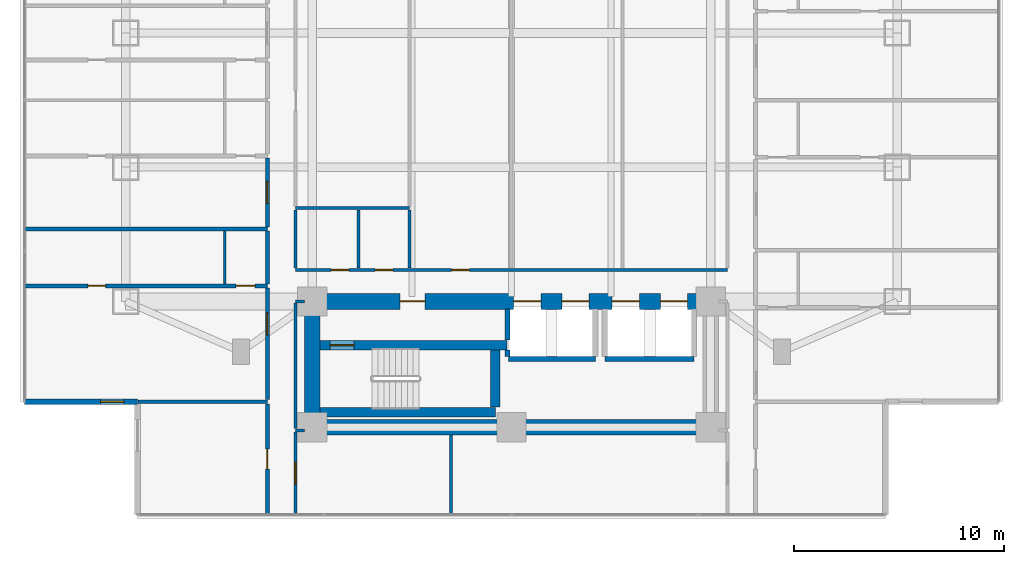
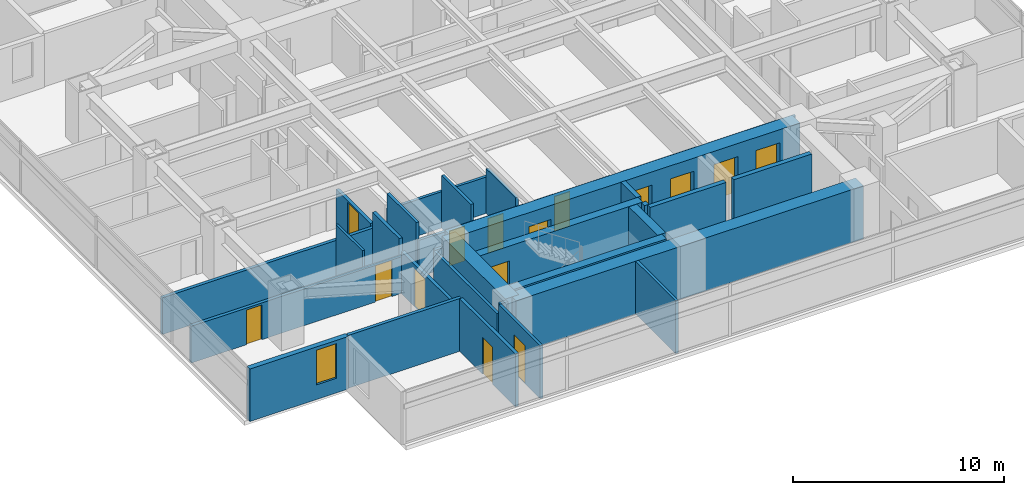
# One storey, part 14 of 26: 29 walls, 15 doors, 1 window, 16 openings.
"""IFC4 building model written with IfcOpenShell, lengths in metres."""

from ifc_helpers import new_model, si_unit, direction, frame, frame_2d, origin, place, context, subcontext, project, spatial, rectangle, extrude, material, layer, layer_set, type_object, element, fill, save


model = new_model("IFC4")

# Units and contexts
model_context = context("Model", 3, precision=1e-05, world=origin(), true_north=direction((0.0, 1.0)))
body_context = subcontext(model_context, "Body", "Model", "MODEL_VIEW")
ifc_project = project(units=[si_unit("LENGTHUNIT", "METRE"), si_unit("AREAUNIT", "SQUARE_METRE"), si_unit("VOLUMEUNIT", "CUBIC_METRE"), si_unit("PLANEANGLEUNIT", "RADIAN"), si_unit("MASSUNIT", "GRAM", prefix="KILO")], contexts=[model_context])

# Site, building, storey
site_placement = place(None, origin())
site = spatial("IfcSite", under=ifc_project, at=site_placement, CompositionType="ELEMENT")
building_placement = place(site_placement, origin())
building = spatial("IfcBuilding", under=site, at=building_placement, Name="Mirazonda Arch Towers", CompositionType="ELEMENT")
storey_placement = place(building_placement, frame((0.0, 0.0, 48.800048828125)))
storey = spatial("IfcBuildingStorey", under=building, at=storey_placement, Name="L13", CompositionType="ELEMENT", Elevation=48.800048828125)

# Wall
ifc_material_1 = material(Name="Concrete C50/60", Category="concrete")
ifc_layer_1 = layer(ifc_material_1, 0.449951171875, Name="WALL-CORE-450")
ifc_layer_set_1 = layer_set([ifc_layer_1], Name="Concrete C50/60")
wall_type_1 = type_object("IfcWallType", Name="WALL-CORE-450", PredefinedType="SHEAR", material=ifc_layer_set_1)
wall_1_placement = place(storey_placement, frame((11.3701171875, 13.1201171875, 0.0), z_axis=(0.0, 0.0, 1.0), x_axis=(1.0, 0.0, 0.0)))
element("IfcWall", 1, at=wall_1_placement, inside=storey, type_object=wall_type_1, Name="L13 Stair Core Shear Wall 003", PredefinedType="SHEAR", context=body_context, shape_type="SweptSolid", body=[
    extrude(rectangle(XDim=8.35986328125, YDim=0.449951171875, at=frame_2d((4.179931640625, 0.0))), origin(), (0.0, 0.0, 1.0), 3.06005859375),
])

# Wall, opening, door
wall_2_placement = place(storey_placement, frame((11.3701171875, 16.320068359375, 0.0), z_axis=(0.0, 0.0, 1.0), x_axis=(1.0, 0.0, 0.0)))
wall_2 = element("IfcWall", 2, at=wall_2_placement, inside=storey, type_object=wall_type_1, Name="L13 Stair Core Shear Wall 010", PredefinedType="SHEAR", context=body_context, shape_type="SweptSolid", body=[
    extrude(rectangle(XDim=8.909912109375, YDim=0.449951171875, at=frame_2d((4.455078125, 0.0))), origin(), (0.0, 0.0, 1.0), 3.06005859375),
])
opening_1_placement = place(wall_2_placement, frame((0.469970703125, 0.0, 0.0)))
opening_1 = element("IfcOpeningElement", 3, at=opening_1_placement, cuts=wall_2, Name="Opening DR-135", PredefinedType="OPENING", context=body_context, shape_type="SweptSolid", body=[
    extrude(rectangle(XDim=1.14990234375, YDim=2.199951171875, at=frame_2d((0.574951171875, 1.10009765625))), frame((0.0, 0.23486328125, 0.0), z_axis=(0.0, -1.0, 0.0), x_axis=(1.0, 0.0, 0.0)), (0.0, 0.0, 1.0), 0.469970703125),
])
ifc_material_2 = material(Name="Architectural Brushed Steel S355", Category="steel")
door_type_1 = type_object("IfcDoorType", Name="DOOR-STAIR-FD90-1150", OperationType="NOTDEFINED", PredefinedType="DOOR", material=ifc_material_2)
door_1_placement = place(opening_1_placement, origin())
door_1 = element("IfcDoor", 4, at=door_1_placement, inside=storey, type_object=door_type_1, Name="L13 Protected Exit Stair South Door", OperationType="SINGLE_SWING_RIGHT", OverallHeight=2.199951171875, OverallWidth=1.14990234375, PredefinedType="DOOR", context=body_context, shape_type="SweptSolid", body=[
    extrude(rectangle(XDim=1.14990234375, YDim=2.199951171875, at=frame_2d((0.574951171875, 1.10009765625))), frame((0.0, 0.02490234375, 0.0), z_axis=(0.0, -1.0, 0.0), x_axis=(1.0, 0.0, 0.0)), (0.0, 0.0, 1.0), 0.050048828125),
])
fill(opening_1, door_1)

# Walls
wall_3_placement = place(storey_placement, frame((19.72998046875, 13.35498046875, 0.0), z_axis=(0.0, 0.0, 1.0), x_axis=(0.0, 1.0, 0.0)))
element("IfcWall", 5, at=wall_3_placement, inside=storey, type_object=wall_type_1, Name="L13 Stair Core Shear Wall 091", PredefinedType="SHEAR", context=body_context, shape_type="SweptSolid", body=[
    extrude(rectangle(XDim=2.72998046875, YDim=0.449951171875, at=frame_2d((1.364990234375, 0.0))), origin(), (0.0, 0.0, 1.0), 3.06005859375),
])
ifc_material_3 = material(Name="Concrete C60/75", Category="concrete")
ifc_layer_2 = layer(ifc_material_3, 0.75, Name="WALL-CORE-750")
ifc_layer_set_2 = layer_set([ifc_layer_2], Name="Concrete C60/75")
wall_type_2 = type_object("IfcWallType", Name="WALL-CORE-750", PredefinedType="SHEAR", material=ifc_layer_set_2)
wall_4_placement = place(storey_placement, frame((11.0, 12.39990234375, 0.0), z_axis=(0.0, 0.0, 1.0), x_axis=(1.0, 0.0, 0.0)))
element("IfcWall", 6, at=wall_4_placement, inside=storey, type_object=wall_type_2, Name="L13 T1S-S Core Shear Wall", PredefinedType="SHEAR", context=body_context, shape_type="SweptSolid", body=[
    extrude(rectangle(XDim=19.0, YDim=0.75, at=frame_2d((9.5, 0.0))), origin(), (0.0, 0.0, 1.0), 3.06005859375),
])
wall_5_placement = place(storey_placement, frame((11.0, 12.39990234375, 0.0), z_axis=(0.0, 0.0, 1.0), x_axis=(0.0, 1.0, 0.0)))
element("IfcWall", 7, at=wall_5_placement, inside=storey, type_object=wall_type_2, Name="L13 T1S-W Core Shear Wall", PredefinedType="SHEAR", context=body_context, shape_type="SweptSolid", body=[
    extrude(rectangle(XDim=6.0, YDim=0.75, at=frame_2d((3.0, 0.0))), origin(), (0.0, 0.0, 1.0), 3.06005859375),
])

# Wall, openings, doors
wall_6_placement = place(storey_placement, frame((11.0, 18.39990234375, 0.0), z_axis=(0.0, 0.0, 1.0), x_axis=(1.0, 0.0, 0.0)))
wall_6 = element("IfcWall", 8, at=wall_6_placement, inside=storey, type_object=wall_type_2, Name="L13 T1S-N Core Shear Wall", PredefinedType="SHEAR", context=body_context, shape_type="SweptSolid", body=[
    extrude(rectangle(XDim=19.0, YDim=0.75, at=frame_2d((9.5, 0.0))), origin(), (0.0, 0.0, 1.0), 3.06005859375),
])
opening_2_placement = place(wall_6_placement, frame((4.175048828125, 0.0, 0.0)))
opening_2 = element("IfcOpeningElement", 9, at=opening_2_placement, cuts=wall_6, Name="Opening DR-117", PredefinedType="OPENING", context=body_context, shape_type="SweptSolid", body=[
    extrude(rectangle(XDim=1.199951171875, YDim=2.25, at=frame_2d((0.60009765625, 1.125))), frame((0.0, 0.385009765625, 0.0), z_axis=(0.0, -1.0, 0.0), x_axis=(1.0, 0.0, 0.0)), (0.0, 0.0, 1.0), 0.77001953125),
])
opening_3_placement = place(wall_6_placement, frame((9.60009765625, 0.0, 0.0)))
opening_3 = element("IfcOpeningElement", 10, at=opening_3_placement, cuts=wall_6, Name="Opening LD-111", PredefinedType="OPENING", context=body_context, shape_type="SweptSolid", body=[
    extrude(rectangle(XDim=1.300048828125, YDim=2.300048828125, at=frame_2d((0.64990234375, 1.14990234375))), frame((0.0, 0.385009765625, 0.0), z_axis=(0.0, -1.0, 0.0), x_axis=(1.0, 0.0, 0.0)), (0.0, 0.0, 1.0), 0.77001953125),
])
opening_4_placement = place(wall_6_placement, frame((11.89990234375, 0.0, 0.0)))
opening_4 = element("IfcOpeningElement", 11, at=opening_4_placement, cuts=wall_6, Name="Opening LD-111", PredefinedType="OPENING", context=body_context, shape_type="SweptSolid", body=[
    extrude(rectangle(XDim=1.300048828125, YDim=2.300048828125, at=frame_2d((0.64990234375, 1.14990234375))), frame((0.0, 0.385009765625, 0.0), z_axis=(0.0, -1.0, 0.0), x_axis=(1.0, 0.0, 0.0)), (0.0, 0.0, 1.0), 0.77001953125),
])
opening_5_placement = place(wall_6_placement, frame((14.300048828125, 0.0, 0.0)))
opening_5 = element("IfcOpeningElement", 12, at=opening_5_placement, cuts=wall_6, Name="Opening LD-111", PredefinedType="OPENING", context=body_context, shape_type="SweptSolid", body=[
    extrude(rectangle(XDim=1.300048828125, YDim=2.300048828125, at=frame_2d((0.64990234375, 1.14990234375))), frame((0.0, 0.385009765625, 0.0), z_axis=(0.0, -1.0, 0.0), x_axis=(1.0, 0.0, 0.0)), (0.0, 0.0, 1.0), 0.77001953125),
])
opening_6_placement = place(wall_6_placement, frame((16.60009765625, 0.0, 0.0)))
opening_6 = element("IfcOpeningElement", 13, at=opening_6_placement, cuts=wall_6, Name="Opening LD-111", PredefinedType="OPENING", context=body_context, shape_type="SweptSolid", body=[
    extrude(rectangle(XDim=1.300048828125, YDim=2.300048828125, at=frame_2d((0.64990234375, 1.14990234375))), frame((0.0, 0.385009765625, 0.0), z_axis=(0.0, -1.0, 0.0), x_axis=(1.0, 0.0, 0.0)), (0.0, 0.0, 1.0), 0.77001953125),
])
door_type_2 = type_object("IfcDoorType", Name="DOOR-FFL-FD90-1200", OperationType="NOTDEFINED", PredefinedType="DOOR", material=ifc_material_2)
door_2_placement = place(opening_2_placement, origin())
door_2 = element("IfcDoor", 14, at=door_2_placement, inside=storey, type_object=door_type_2, Name="L13 South Core Stair & Lift Lobby Door", OperationType="SINGLE_SWING_LEFT", OverallHeight=2.25, OverallWidth=1.199951171875, PredefinedType="DOOR", context=body_context, shape_type="SweptSolid", body=[
    extrude(rectangle(XDim=1.199951171875, YDim=2.25, at=frame_2d((0.60009765625, 1.125))), frame((0.0, 0.02490234375, 0.0), z_axis=(0.0, -1.0, 0.0), x_axis=(1.0, 0.0, 0.0)), (0.0, 0.0, 1.0), 0.050048828125),
])
fill(opening_2, door_2)
door_type_3 = type_object("IfcDoorType", Name="DOOR-LIFT-LAND-1300", OperationType="NOTDEFINED", PredefinedType="DOOR", material=ifc_material_2)
door_3_placement = place(opening_3_placement, origin())
door_3 = element("IfcDoor", 15, at=door_3_placement, inside=storey, type_object=door_type_3, Name="L13 Lift Landing Sliding Door PL-T1M1", OperationType="DOUBLE_DOOR_SLIDING", OverallHeight=2.300048828125, OverallWidth=1.300048828125, PredefinedType="DOOR", context=body_context, shape_type="SweptSolid", body=[
    extrude(rectangle(XDim=1.300048828125, YDim=2.300048828125, at=frame_2d((0.64990234375, 1.14990234375))), frame((0.0, 0.02490234375, 0.0), z_axis=(0.0, -1.0, 0.0), x_axis=(1.0, 0.0, 0.0)), (0.0, 0.0, 1.0), 0.050048828125),
])
fill(opening_3, door_3)
door_4_placement = place(opening_4_placement, origin())
door_4 = element("IfcDoor", 16, at=door_4_placement, inside=storey, type_object=door_type_3, Name="L13 Lift Landing Sliding Door PL-T1M2", OperationType="DOUBLE_DOOR_SLIDING", OverallHeight=2.300048828125, OverallWidth=1.300048828125, PredefinedType="DOOR", context=body_context, shape_type="SweptSolid", body=[
    extrude(rectangle(XDim=1.300048828125, YDim=2.300048828125, at=frame_2d((0.64990234375, 1.14990234375))), frame((0.0, 0.02490234375, 0.0), z_axis=(0.0, -1.0, 0.0), x_axis=(1.0, 0.0, 0.0)), (0.0, 0.0, 1.0), 0.050048828125),
])
fill(opening_4, door_4)
door_5_placement = place(opening_5_placement, origin())
door_5 = element("IfcDoor", 17, at=door_5_placement, inside=storey, type_object=door_type_3, Name="L13 Lift Landing Sliding Door PL-T1H1", OperationType="DOUBLE_DOOR_SLIDING", OverallHeight=2.300048828125, OverallWidth=1.300048828125, PredefinedType="DOOR", context=body_context, shape_type="SweptSolid", body=[
    extrude(rectangle(XDim=1.300048828125, YDim=2.300048828125, at=frame_2d((0.64990234375, 1.14990234375))), frame((0.0, 0.02490234375, 0.0), z_axis=(0.0, -1.0, 0.0), x_axis=(1.0, 0.0, 0.0)), (0.0, 0.0, 1.0), 0.050048828125),
])
fill(opening_5, door_5)
door_6_placement = place(opening_6_placement, origin())
door_6 = element("IfcDoor", 18, at=door_6_placement, inside=storey, type_object=door_type_3, Name="L13 Lift Landing Sliding Door PL-T1H2", OperationType="DOUBLE_DOOR_SLIDING", OverallHeight=2.300048828125, OverallWidth=1.300048828125, PredefinedType="DOOR", context=body_context, shape_type="SweptSolid", body=[
    extrude(rectangle(XDim=1.300048828125, YDim=2.300048828125, at=frame_2d((0.64990234375, 1.14990234375))), frame((0.0, 0.02490234375, 0.0), z_axis=(0.0, -1.0, 0.0), x_axis=(1.0, 0.0, 0.0)), (0.0, 0.0, 1.0), 0.050048828125),
])
fill(opening_6, door_6)

# Wall, opening, window
ifc_material_4 = material(Name="Precast Concrete C40/50", Category="concrete")
ifc_layer_3 = layer(ifc_material_4, 0.280029296875, Name="WALL-EXT-WALL-280")
ifc_layer_set_3 = layer_set([ifc_layer_3], Name="Precast Concrete C40/50")
wall_type_3 = type_object("IfcWallType", Name="WALL-EXT-WALL-280", PredefinedType="SOLIDWALL", material=ifc_layer_set_3)
wall_7_placement = place(storey_placement, frame((-2.719970703125, 13.615966796875, 0.0), z_axis=(0.0, 0.0, 1.0), x_axis=(1.0, 0.0, 0.0)))
wall_7 = element("IfcWall", 19, at=wall_7_placement, inside=storey, type_object=wall_type_3, Name="L13 T1 Corner Notch Return Wall WL-L13-T1-CSW2", PredefinedType="SOLIDWALL", context=body_context, shape_type="SweptSolid", body=[
    extrude(rectangle(XDim=5.3798828125, YDim=0.280029296875, at=frame_2d((2.68994140625, 0.0))), origin(), (0.0, 0.0, 1.0), 3.0400390625),
])
opening_7_placement = place(wall_7_placement, frame((3.6298828125, 0.0, 0.85009765625)))
opening_7 = element("IfcOpeningElement", 20, at=opening_7_placement, cuts=wall_7, Name="Opening WN-108", PredefinedType="OPENING", context=body_context, shape_type="SweptSolid", body=[
    extrude(rectangle(XDim=1.10009765625, YDim=2.0, at=frame_2d((0.550048828125, 1.0))), frame((0.0, 0.14990234375, 0.0), z_axis=(0.0, -1.0, 0.0), x_axis=(1.0, 0.0, 0.0)), (0.0, 0.0, 1.0), 0.300048828125),
])
ifc_material_5 = material(Name="Insulated Low-E Solar Glass", Category="glass")
window_type = type_object("IfcWindowType", Name="WIN-NOTCH-1100x2000", PartitioningType="SINGLE_PANEL", PredefinedType="WINDOW", material=ifc_material_5)
window_placement = place(opening_7_placement, origin())
window = element("IfcWindow", 21, at=window_placement, inside=storey, type_object=window_type, Name="L13 Punched Facade Window WN-L13-T1-CSW2", OverallHeight=2.0, OverallWidth=1.10009765625, PartitioningType="SINGLE_PANEL", PredefinedType="WINDOW", context=body_context, shape_type="SweptSolid", body=[
    extrude(rectangle(XDim=1.10009765625, YDim=2.0, at=frame_2d((0.550048828125, 1.0))), frame((0.0, 0.030029296875, 0.0), z_axis=(0.0, -1.0, 0.0), x_axis=(1.0, 0.0, 0.0)), (0.0, 0.0, 1.0), 0.06005859375),
])
fill(opening_7, window)

# Walls
ifc_material_6 = material(Name="Fire-Rated Gypsum Stud Partition")
ifc_layer_4 = layer(ifc_material_6, 0.14990234375, Name="WALL-PART-CORR-150")
ifc_layer_set_4 = layer_set([ifc_layer_4], Name="Fire-Rated Gypsum Stud Partition")
wall_type_4 = type_object("IfcWallType", Name="WALL-PART-CORR-150", PredefinedType="PARTITIONING", material=ifc_layer_set_4)
wall_8_placement = place(storey_placement, frame((10.199951171875, 12.25, 0.0), z_axis=(0.0, 0.0, 1.0), x_axis=(1.0, 0.0, 0.0)))
element("IfcWall", 22, at=wall_8_placement, inside=storey, type_object=wall_type_4, Name="L13 Interior Partition 001", PredefinedType="PARTITIONING", context=body_context, shape_type="SweptSolid", body=[
    extrude(rectangle(XDim=0.429931640625, YDim=0.14990234375, at=frame_2d((0.21484375, 0.0))), origin(), (0.0, 0.0, 1.0), 3.06005859375),
])
wall_9_placement = place(storey_placement, frame((10.199951171875, 18.39990234375, 0.0), z_axis=(0.0, 0.0, 1.0), x_axis=(1.0, 0.0, 0.0)))
element("IfcWall", 23, at=wall_9_placement, inside=storey, type_object=wall_type_4, Name="L13 Interior Partition 013", PredefinedType="PARTITIONING", context=body_context, shape_type="SweptSolid", body=[
    extrude(rectangle(XDim=0.429931640625, YDim=0.14990234375, at=frame_2d((0.21484375, 0.0))), origin(), (0.0, 0.0, 1.0), 2.43603515625),
])

# Wall, openings, doors
wall_10_placement = place(storey_placement, frame((10.199951171875, 19.89990234375, 0.0), z_axis=(0.0, 0.0, 1.0), x_axis=(1.0, 0.0, 0.0)))
wall_10 = element("IfcWall", 24, at=wall_10_placement, inside=storey, type_object=wall_type_4, Name="L13 Interior Partition 017", PredefinedType="PARTITIONING", context=body_context, shape_type="SweptSolid", body=[
    extrude(rectangle(XDim=20.60009765625, YDim=0.14990234375, at=frame_2d((10.300048828125, 0.0))), origin(), (0.0, 0.0, 1.0), 2.10400390625),
])
opening_8_placement = place(wall_10_placement, frame((1.695068359375, 0.0, 0.0)))
opening_8 = element("IfcOpeningElement", 25, at=opening_8_placement, cuts=wall_10, Name="Opening DR-128", PredefinedType="OPENING", context=body_context, shape_type="SweptSolid", body=[
    extrude(rectangle(XDim=0.85009765625, YDim=2.010009765625, at=frame_2d((0.425048828125, 1.0048828125))), frame((0.0, 0.0849609375, 0.0), z_axis=(0.0, -1.0, 0.0), x_axis=(1.0, 0.0, 0.0)), (0.0, 0.0, 1.0), 0.169921875),
])
opening_9_placement = place(wall_10_placement, frame((3.794921875, 0.0, 0.0)))
opening_9 = element("IfcOpeningElement", 26, at=opening_9_placement, cuts=wall_10, Name="Opening DR-128", PredefinedType="OPENING", context=body_context, shape_type="SweptSolid", body=[
    extrude(rectangle(XDim=0.85009765625, YDim=2.010009765625, at=frame_2d((0.425048828125, 1.0048828125))), frame((0.0, 0.0849609375, 0.0), z_axis=(0.0, -1.0, 0.0), x_axis=(1.0, 0.0, 0.0)), (0.0, 0.0, 1.0), 0.169921875),
])
opening_10_placement = place(wall_10_placement, frame((7.4404296875, 0.0, 0.0)))
opening_10 = element("IfcOpeningElement", 27, at=opening_10_placement, cuts=wall_10, Name="Opening DR-128", PredefinedType="OPENING", context=body_context, shape_type="SweptSolid", body=[
    extrude(rectangle(XDim=0.85009765625, YDim=2.010009765625, at=frame_2d((0.425048828125, 1.0048828125))), frame((0.0, 0.0849609375, 0.0), z_axis=(0.0, -1.0, 0.0), x_axis=(1.0, 0.0, 0.0)), (0.0, 0.0, 1.0), 0.169921875),
])
door_type_4 = type_object("IfcDoorType", Name="DOOR-RISER-FD60-850", OperationType="NOTDEFINED", PredefinedType="DOOR", material=ifc_material_2)
door_7_placement = place(opening_8_placement, origin())
door_7 = element("IfcDoor", 28, at=door_7_placement, inside=storey, type_object=door_type_4, Name="L13 Common Accessible WC Door", OperationType="SINGLE_SWING_LEFT", OverallHeight=2.010009765625, OverallWidth=0.85009765625, PredefinedType="DOOR", context=body_context, shape_type="SweptSolid", body=[
    extrude(rectangle(XDim=0.85009765625, YDim=2.010009765625, at=frame_2d((0.425048828125, 1.0048828125))), frame((0.0, 0.02490234375, 0.0), z_axis=(0.0, -1.0, 0.0), x_axis=(1.0, 0.0, 0.0)), (0.0, 0.0, 1.0), 0.050048828125),
])
fill(opening_8, door_7)
door_8_placement = place(opening_9_placement, origin())
door_8 = element("IfcDoor", 29, at=door_8_placement, inside=storey, type_object=door_type_4, Name="L13 L13 West Courtyard Study Door", OperationType="SINGLE_SWING_RIGHT", OverallHeight=2.010009765625, OverallWidth=0.85009765625, PredefinedType="DOOR", context=body_context, shape_type="SweptSolid", body=[
    extrude(rectangle(XDim=0.85009765625, YDim=2.010009765625, at=frame_2d((0.425048828125, 1.0048828125))), frame((0.0, 0.02490234375, 0.0), z_axis=(0.0, -1.0, 0.0), x_axis=(1.0, 0.0, 0.0)), (0.0, 0.0, 1.0), 0.050048828125),
])
fill(opening_9, door_8)
door_9_placement = place(opening_10_placement, origin())
door_9 = element("IfcDoor", 30, at=door_9_placement, inside=storey, type_object=door_type_4, Name="L13 Executive Club Lounge Door", OperationType="SINGLE_SWING_RIGHT", OverallHeight=2.010009765625, OverallWidth=0.85009765625, PredefinedType="DOOR", context=body_context, shape_type="SweptSolid", body=[
    extrude(rectangle(XDim=0.85009765625, YDim=2.010009765625, at=frame_2d((0.425048828125, 1.0048828125))), frame((0.0, 0.02490234375, 0.0), z_axis=(0.0, -1.0, 0.0), x_axis=(1.0, 0.0, 0.0)), (0.0, 0.0, 1.0), 0.050048828125),
])
fill(opening_10, door_9)

# Wall
wall_11_placement = place(storey_placement, frame((10.199951171875, 22.85009765625, 0.0), z_axis=(0.0, 0.0, 1.0), x_axis=(1.0, 0.0, 0.0)))
element("IfcWall", 31, at=wall_11_placement, inside=storey, type_object=wall_type_4, Name="L13 Interior Partition 025", PredefinedType="PARTITIONING", context=body_context, shape_type="SweptSolid", body=[
    extrude(rectangle(XDim=5.43994140625, YDim=0.14990234375, at=frame_2d((2.719970703125, 0.0))), origin(), (0.0, 0.0, 1.0), 2.10400390625),
])

# Wall, opening, door
wall_12_placement = place(storey_placement, frame((10.199951171875, 8.236083984375, 0.0), z_axis=(0.0, 0.0, 1.0), x_axis=(0.0, 1.0, 0.0)))
wall_12 = element("IfcWall", 32, at=wall_12_placement, inside=storey, type_object=wall_type_4, Name="L13 Interior Partition 079", PredefinedType="PARTITIONING", context=body_context, shape_type="SweptSolid", body=[
    extrude(rectangle(XDim=3.928955078125, YDim=0.14990234375, at=frame_2d((1.96435546875, 0.0))), origin(), (0.0, 0.0, 1.0), 3.06005859375),
])
opening_11_placement = place(wall_12_placement, frame((1.439453125, 0.0, 0.0)))
opening_11 = element("IfcOpeningElement", 33, at=opening_11_placement, cuts=wall_12, Name="Opening DR-121", PredefinedType="OPENING", context=body_context, shape_type="SweptSolid", body=[
    extrude(rectangle(XDim=1.050048828125, YDim=2.199951171875, at=frame_2d((0.52490234375, 1.10009765625))), frame((0.0, 0.0849609375, 0.0), z_axis=(0.0, -1.0, 0.0), x_axis=(1.0, 0.0, 0.0)), (0.0, 0.0, 1.0), 0.169921875),
])
door_type_5 = type_object("IfcDoorType", Name="DOOR-SUITE-FD60-1050", OperationType="NOTDEFINED", PredefinedType="DOOR", material=ifc_material_2)
door_10_placement = place(opening_11_placement, origin())
door_10 = element("IfcDoor", 34, at=door_10_placement, inside=storey, type_object=door_type_5, Name="L13 South Horizon Lounge Minor Door", OperationType="SINGLE_SWING_LEFT", OverallHeight=2.199951171875, OverallWidth=1.050048828125, PredefinedType="DOOR", context=body_context, shape_type="SweptSolid", body=[
    extrude(rectangle(XDim=1.050048828125, YDim=2.199951171875, at=frame_2d((0.52490234375, 1.10009765625))), frame((0.0, 0.02490234375, 0.0), z_axis=(0.0, -1.0, 0.0), x_axis=(1.0, 0.0, 0.0)), (0.0, 0.0, 1.0), 0.050048828125),
])
fill(opening_11, door_10)

# Walls
wall_13_placement = place(storey_placement, frame((10.199951171875, 12.3349609375, 0.0), z_axis=(0.0, 0.0, 1.0), x_axis=(0.0, 1.0, 0.0)))
element("IfcWall", 35, at=wall_13_placement, inside=storey, type_object=wall_type_4, Name="L13 Interior Partition 080", PredefinedType="PARTITIONING", context=body_context, shape_type="SweptSolid", body=[
    extrude(rectangle(XDim=5.97998046875, YDim=0.14990234375, at=frame_2d((2.989990234375, 0.0))), origin(), (0.0, 0.0, 1.0), 2.43603515625),
])
for number, where, z_axis, x_axis, name in (
    (36, (10.206787109375, 19.985107421875, 0.0), (0.0, 0.0, 1.0), (0.0, 1.0, 0.0), "L13 Interior Partition 081"),
    (37, (13.199951171875, 19.985107421875, 0.0), (0.0, 0.0, 1.0), (0.0, 1.0, 0.0), "L13 Interior Partition 086"),
):
    element("IfcWall", number, at=place(storey_placement, frame(where, z_axis=z_axis, x_axis=x_axis)), inside=storey, type_object=wall_type_4, Name=name, PredefinedType="PARTITIONING", context=body_context, shape_type="SweptSolid", body=[
        extrude(rectangle(XDim=2.77978515625, YDim=0.14990234375, at=frame_2d((1.389892578125, 0.0))), origin(), (0.0, 0.0, 1.0), 3.06005859375),
    ])
wall_14_placement = place(storey_placement, frame((15.639892578125, 19.985107421875, 0.0), z_axis=(0.0, 0.0, 1.0), x_axis=(0.0, 1.0, 0.0)))
element("IfcWall", 38, at=wall_14_placement, inside=storey, type_object=wall_type_4, Name="L13 Interior Partition 087", PredefinedType="PARTITIONING", context=body_context, shape_type="SweptSolid", body=[
    extrude(rectangle(XDim=2.77978515625, YDim=0.14990234375, at=frame_2d((1.389892578125, 0.0))), origin(), (0.0, 0.0, 1.0), 2.5888671875),
])
wall_15_placement = place(storey_placement, frame((17.615966796875, 8.236083984375, 0.0), z_axis=(0.0, 0.0, 1.0), x_axis=(0.0, 1.0, 0.0)))
element("IfcWall", 39, at=wall_15_placement, inside=storey, type_object=wall_type_4, Name="L13 Interior Partition 090", PredefinedType="PARTITIONING", context=body_context, shape_type="SweptSolid", body=[
    extrude(rectangle(XDim=3.7939453125, YDim=0.14990234375, at=frame_2d((1.89697265625, 0.0))), origin(), (0.0, 0.0, 1.0), 3.06005859375),
])
ifc_material_7 = material(Name="Fire-Rated Gypsum Twin-Stud Assembly")
ifc_layer_5 = layer(ifc_material_7, 0.179931640625, Name="WALL-PART-DEMISE-180")
ifc_layer_set_5 = layer_set([ifc_layer_5], Name="Fire-Rated Gypsum Twin-Stud Assembly")
wall_type_5 = type_object("IfcWallType", Name="WALL-PART-DEMISE-180", PredefinedType="PARTITIONING", material=ifc_layer_set_5)
wall_16_placement = place(storey_placement, frame((2.679931640625, 13.615966796875, 0.0), z_axis=(0.0, 0.0, 1.0), x_axis=(1.0, 0.0, 0.0)))
element("IfcWall", 40, at=wall_16_placement, inside=storey, type_object=wall_type_5, Name="L13 Interior Partition 004", PredefinedType="PARTITIONING", context=body_context, shape_type="SweptSolid", body=[
    extrude(rectangle(XDim=6.18017578125, YDim=0.179931640625, at=frame_2d((3.090087890625, 0.0))), origin(), (0.0, 0.0, 1.0), 3.06005859375),
])

# Wall, openings, doors
wall_17_placement = place(storey_placement, frame((-2.719970703125, 19.139892578125, 0.0), z_axis=(0.0, 0.0, 1.0), x_axis=(1.0, 0.0, 0.0)))
wall_17 = element("IfcWall", 41, at=wall_17_placement, inside=storey, type_object=wall_type_5, Name="L13 Interior Partition 016", PredefinedType="PARTITIONING", context=body_context, shape_type="SweptSolid", body=[
    extrude(rectangle(XDim=11.580078125, YDim=0.179931640625, at=frame_2d((5.7900390625, 0.0))), origin(), (0.0, 0.0, 1.0), 2.125),
])
opening_12_placement = place(wall_17_placement, frame((3.014892578125, 0.0, 0.0)))
opening_12 = element("IfcOpeningElement", 42, at=opening_12_placement, cuts=wall_17, Name="Opening DR-128", PredefinedType="OPENING", context=body_context, shape_type="SweptSolid", body=[
    extrude(rectangle(XDim=0.85009765625, YDim=2.010009765625, at=frame_2d((0.425048828125, 1.0048828125))), frame((0.0, 0.099853515625, 0.0), z_axis=(0.0, -1.0, 0.0), x_axis=(1.0, 0.0, 0.0)), (0.0, 0.0, 1.0), 0.199951171875),
])
opening_13_placement = place(wall_17_placement, frame((10.090087890625, 0.0, 0.0)))
opening_13 = element("IfcOpeningElement", 43, at=opening_13_placement, cuts=wall_17, Name="Opening DR-120", PredefinedType="OPENING", context=body_context, shape_type="SweptSolid", body=[
    extrude(rectangle(XDim=0.89990234375, YDim=2.10009765625, at=frame_2d((0.449951171875, 1.050048828125))), frame((0.0, 0.099853515625, 0.0), z_axis=(0.0, -1.0, 0.0), x_axis=(1.0, 0.0, 0.0)), (0.0, 0.0, 1.0), 0.199951171875),
])
door_11_placement = place(opening_12_placement, origin())
door_11 = element("IfcDoor", 44, at=door_11_placement, inside=storey, type_object=door_type_4, Name="L13 Guestroom Study 1 Door", OperationType="SINGLE_SWING_LEFT", OverallHeight=2.010009765625, OverallWidth=0.85009765625, PredefinedType="DOOR", context=body_context, shape_type="SweptSolid", body=[
    extrude(rectangle(XDim=0.85009765625, YDim=2.010009765625, at=frame_2d((0.425048828125, 1.0048828125))), frame((0.0, 0.02490234375, 0.0), z_axis=(0.0, -1.0, 0.0), x_axis=(1.0, 0.0, 0.0)), (0.0, 0.0, 1.0), 0.050048828125),
])
fill(opening_12, door_11)
door_type_6 = type_object("IfcDoorType", Name="DOOR-WC-900", OperationType="NOTDEFINED", PredefinedType="DOOR", material=ifc_material_2)
door_12_placement = place(opening_13_placement, origin())
door_12 = element("IfcDoor", 45, at=door_12_placement, inside=storey, type_object=door_type_6, Name="L13 En-Suite Bathroom 1 Door", OperationType="SINGLE_SWING_RIGHT", OverallHeight=2.10009765625, OverallWidth=0.89990234375, PredefinedType="DOOR", context=body_context, shape_type="SweptSolid", body=[
    extrude(rectangle(XDim=0.89990234375, YDim=2.10009765625, at=frame_2d((0.449951171875, 1.050048828125))), frame((0.0, 0.02490234375, 0.0), z_axis=(0.0, -1.0, 0.0), x_axis=(1.0, 0.0, 0.0)), (0.0, 0.0, 1.0), 0.050048828125),
])
fill(opening_13, door_12)

# Wall
wall_18_placement = place(storey_placement, frame((-2.719970703125, 21.860107421875, 0.0), z_axis=(0.0, 0.0, 1.0), x_axis=(1.0, 0.0, 0.0)))
element("IfcWall", 46, at=wall_18_placement, inside=storey, type_object=wall_type_5, Name="L13 Interior Partition 023", PredefinedType="PARTITIONING", context=body_context, shape_type="SweptSolid", body=[
    extrude(rectangle(XDim=11.580078125, YDim=0.179931640625, at=frame_2d((5.7900390625, 0.0))), origin(), (0.0, 0.0, 1.0), 2.125),
])

# Wall, opening, door
wall_19_placement = place(storey_placement, frame((8.860107421875, 8.236083984375, 0.0), z_axis=(0.0, 0.0, 1.0), x_axis=(0.0, 1.0, 0.0)))
wall_19 = element("IfcWall", 47, at=wall_19_placement, inside=storey, type_object=wall_type_5, Name="L13 Interior Partition 069", PredefinedType="PARTITIONING", context=body_context, shape_type="SweptSolid", body=[
    extrude(rectangle(XDim=5.280029296875, YDim=0.179931640625, at=frame_2d((2.64013671875, 0.0))), origin(), (0.0, 0.0, 1.0), 3.06005859375),
])
opening_14_placement = place(wall_19_placement, frame((2.1650390625, 0.0, 0.0)))
opening_14 = element("IfcOpeningElement", 48, at=opening_14_placement, cuts=wall_19, Name="Opening DR-104", PredefinedType="OPENING", context=body_context, shape_type="SweptSolid", body=[
    extrude(rectangle(XDim=0.949951171875, YDim=2.14990234375, at=frame_2d((0.47509765625, 1.074951171875))), frame((0.0, 0.099853515625, 0.0), z_axis=(0.0, -1.0, 0.0), x_axis=(1.0, 0.0, 0.0)), (0.0, 0.0, 1.0), 0.199951171875),
])
door_type_7 = type_object("IfcDoorType", Name="DOOR-ROOM-950", OperationType="NOTDEFINED", PredefinedType="DOOR", material=ifc_material_2)
door_13_placement = place(opening_14_placement, origin())
door_13 = element("IfcDoor", 49, at=door_13_placement, inside=storey, type_object=door_type_7, Name="L13 South Horizon Lounge Alcove West Door", OperationType="SINGLE_SWING_LEFT", OverallHeight=2.14990234375, OverallWidth=0.949951171875, PredefinedType="DOOR", context=body_context, shape_type="SweptSolid", body=[
    extrude(rectangle(XDim=0.949951171875, YDim=2.14990234375, at=frame_2d((0.47509765625, 1.074951171875))), frame((0.0, 0.02490234375, 0.0), z_axis=(0.0, -1.0, 0.0), x_axis=(1.0, 0.0, 0.0)), (0.0, 0.0, 1.0), 0.050048828125),
])
fill(opening_14, door_13)

wall_20_placement = place(storey_placement, frame((8.860107421875, 13.716064453125, 0.0), z_axis=(0.0, 0.0, 1.0), x_axis=(0.0, 1.0, 0.0)))
wall_20 = element("IfcWall", 50, at=wall_20_placement, inside=storey, type_object=wall_type_5, Name="L13 Interior Partition 070", PredefinedType="PARTITIONING", context=body_context, shape_type="SweptSolid", body=[
    extrude(rectangle(XDim=5.323974609375, YDim=0.179931640625, at=frame_2d((2.662109375, 0.0))), origin(), (0.0, 0.0, 1.0), 2.43603515625),
])
opening_15_placement = place(wall_20_placement, frame((3.0869140625, 0.0, 0.0)))
opening_15 = element("IfcOpeningElement", 51, at=opening_15_placement, cuts=wall_20, Name="Opening DR-121", PredefinedType="OPENING", context=body_context, shape_type="SweptSolid", body=[
    extrude(rectangle(XDim=1.050048828125, YDim=2.199951171875, at=frame_2d((0.52490234375, 1.10009765625))), frame((0.0, 0.099853515625, 0.0), z_axis=(0.0, -1.0, 0.0), x_axis=(1.0, 0.0, 0.0)), (0.0, 0.0, 1.0), 0.199951171875),
])
door_14_placement = place(opening_15_placement, origin())
door_14 = element("IfcDoor", 52, at=door_14_placement, inside=storey, type_object=door_type_5, Name="L13 King Hotel Guestroom 1 Door", OperationType="SINGLE_SWING_RIGHT", OverallHeight=2.199951171875, OverallWidth=1.050048828125, PredefinedType="DOOR", context=body_context, shape_type="SweptSolid", body=[
    extrude(rectangle(XDim=1.050048828125, YDim=2.199951171875, at=frame_2d((0.52490234375, 1.10009765625))), frame((0.0, 0.02490234375, 0.0), z_axis=(0.0, -1.0, 0.0), x_axis=(1.0, 0.0, 0.0)), (0.0, 0.0, 1.0), 0.050048828125),
])
fill(opening_15, door_14)

# Wall
wall_21_placement = place(storey_placement, frame((8.860107421875, 19.239990234375, 0.0), z_axis=(0.0, 0.0, 1.0), x_axis=(0.0, 1.0, 0.0)))
element("IfcWall", 53, at=wall_21_placement, inside=storey, type_object=wall_type_5, Name="L13 Interior Partition 071", PredefinedType="PARTITIONING", context=body_context, shape_type="SweptSolid", body=[
    extrude(rectangle(XDim=2.52001953125, YDim=0.179931640625, at=frame_2d((1.260009765625, 0.0))), origin(), (0.0, 0.0, 1.0), 3.06005859375),
])

# Wall, opening, door
wall_22_placement = place(storey_placement, frame((8.860107421875, 21.9599609375, 0.0), z_axis=(0.0, 0.0, 1.0), x_axis=(0.0, 1.0, 0.0)))
wall_22 = element("IfcWall", 54, at=wall_22_placement, inside=storey, type_object=wall_type_5, Name="L13 Interior Partition 072", PredefinedType="PARTITIONING", context=body_context, shape_type="SweptSolid", body=[
    extrude(rectangle(XDim=3.280029296875, YDim=0.179931640625, at=frame_2d((1.64013671875, 0.0))), origin(), (0.0, 0.0, 1.0), 2.279052734375),
])
opening_16_placement = place(wall_22_placement, frame((1.114990234375, 0.0, 0.0)))
opening_16 = element("IfcOpeningElement", 55, at=opening_16_placement, cuts=wall_22, Name="Opening DR-121", PredefinedType="OPENING", context=body_context, shape_type="SweptSolid", body=[
    extrude(rectangle(XDim=1.050048828125, YDim=2.199951171875, at=frame_2d((0.52490234375, 1.10009765625))), frame((0.0, 0.099853515625, 0.0), z_axis=(0.0, -1.0, 0.0), x_axis=(1.0, 0.0, 0.0)), (0.0, 0.0, 1.0), 0.199951171875),
])
door_15_placement = place(opening_16_placement, origin())
door_15 = element("IfcDoor", 56, at=door_15_placement, inside=storey, type_object=door_type_5, Name="L13 Twin Hotel Guestroom 2 Door", OperationType="SINGLE_SWING_LEFT", OverallHeight=2.199951171875, OverallWidth=1.050048828125, PredefinedType="DOOR", context=body_context, shape_type="SweptSolid", body=[
    extrude(rectangle(XDim=1.050048828125, YDim=2.199951171875, at=frame_2d((0.52490234375, 1.10009765625))), frame((0.0, 0.02490234375, 0.0), z_axis=(0.0, -1.0, 0.0), x_axis=(1.0, 0.0, 0.0)), (0.0, 0.0, 1.0), 0.050048828125),
])
fill(opening_16, door_15)

# Walls
ifc_material_8 = material(Name="Acoustic Fire-Rated Gypsum Partition")
ifc_layer_6 = layer(ifc_material_8, 0.125, Name="WALL-PART-UNIT-125")
ifc_layer_set_6 = layer_set([ifc_layer_6], Name="Acoustic Fire-Rated Gypsum Partition")
wall_type_6 = type_object("IfcWallType", Name="WALL-PART-UNIT-125", PredefinedType="PARTITIONING", material=ifc_layer_set_6)
wall_23_placement = place(storey_placement, frame((6.820068359375, 19.239990234375, 0.0), z_axis=(0.0, 0.0, 1.0), x_axis=(0.0, 1.0, 0.0)))
element("IfcWall", 57, at=wall_23_placement, inside=storey, type_object=wall_type_6, Name="L13 Interior Partition 065", PredefinedType="PARTITIONING", context=body_context, shape_type="SweptSolid", body=[
    extrude(rectangle(XDim=2.52001953125, YDim=0.125, at=frame_2d((1.260009765625, 0.0))), origin(), (0.0, 0.0, 1.0), 3.06005859375),
])
ifc_material_9 = material(Name="Concrete C40/50", Category="concrete")
ifc_layer_7 = layer(ifc_material_9, 0.25, Name="WALL-SHAFT-250")
ifc_layer_set_7 = layer_set([ifc_layer_7], Name="Concrete C40/50")
wall_type_7 = type_object("IfcWallType", Name="WALL-SHAFT-250", PredefinedType="SOLIDWALL", material=ifc_layer_set_7)
wall_24_placement = place(storey_placement, frame((20.35009765625, 15.64990234375, 0.0), z_axis=(0.0, 0.0, 1.0), x_axis=(1.0, 0.0, 0.0)))
element("IfcWall", 58, at=wall_24_placement, inside=storey, type_object=wall_type_7, Name="L13 Interior Partition 006", PredefinedType="SOLIDWALL", context=body_context, shape_type="SweptSolid", body=[
    extrude(rectangle(XDim=4.14990234375, YDim=0.25, at=frame_2d((2.074951171875, 0.0))), origin(), (0.0, 0.0, 1.0), 3.06005859375),
])
wall_25_placement = place(storey_placement, frame((24.949951171875, 15.64990234375, 0.0), z_axis=(0.0, 0.0, 1.0), x_axis=(1.0, 0.0, 0.0)))
element("IfcWall", 59, at=wall_25_placement, inside=storey, type_object=wall_type_7, Name="L13 Interior Partition 007", PredefinedType="SOLIDWALL", context=body_context, shape_type="SweptSolid", body=[
    extrude(rectangle(XDim=4.25, YDim=0.25, at=frame_2d((2.125, 0.0))), origin(), (0.0, 0.0, 1.0), 3.06005859375),
])
wall_26_placement = place(storey_placement, frame((20.31494140625, 15.784912109375, 0.0), z_axis=(0.0, 0.0, 1.0), x_axis=(0.0, 1.0, 0.0)))
element("IfcWall", 60, at=wall_26_placement, inside=storey, type_object=wall_type_7, Name="L13 Interior Partition 093", PredefinedType="SOLIDWALL", context=body_context, shape_type="SweptSolid", body=[
    extrude(rectangle(XDim=0.300048828125, YDim=0.25, at=frame_2d((0.14990234375, 0.0))), origin(), (0.0, 0.0, 1.0), 3.06005859375),
])
wall_27_placement = place(storey_placement, frame((20.31494140625, 16.554931640625, 0.0), z_axis=(0.0, 0.0, 1.0), x_axis=(0.0, 1.0, 0.0)))
element("IfcWall", 61, at=wall_27_placement, inside=storey, type_object=wall_type_7, Name="L13 Interior Partition 094", PredefinedType="SOLIDWALL", context=body_context, shape_type="SweptSolid", body=[
    extrude(rectangle(XDim=1.47509765625, YDim=0.25, at=frame_2d((0.737548828125, 0.0))), origin(), (0.0, 0.0, 1.0), 3.06005859375),
])

save(model, "model.ifc")
